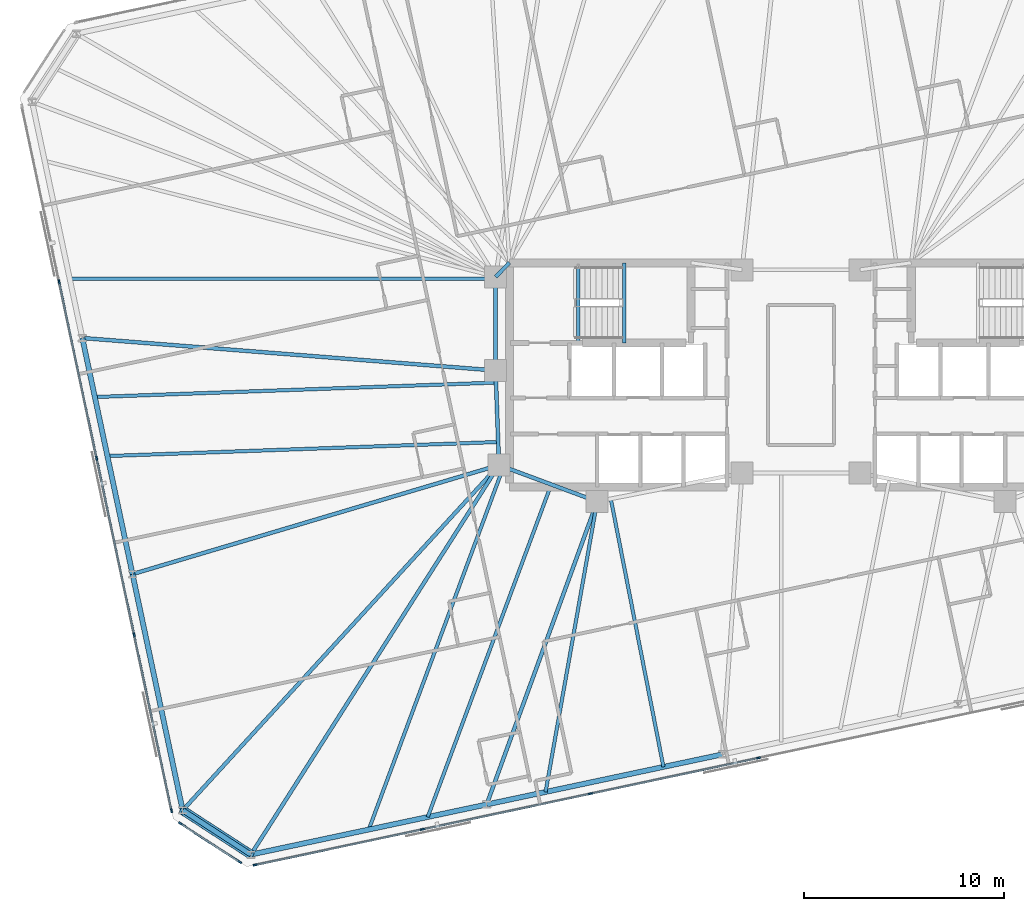
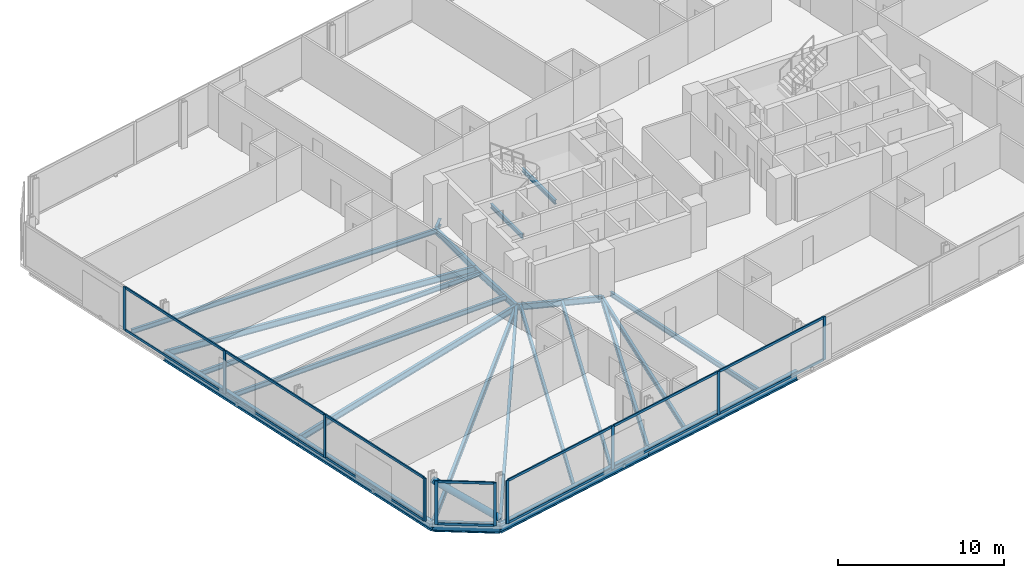
# One storey, part 6 of 19: 25 members, 23 beams, 3 elements without a shape of their own.
"""IFC4 building model written with IfcOpenShell, lengths in metres."""

from ifc_helpers import new_model, si_unit, direction, frame, origin, origin_2d, place, context, subcontext, project, spatial, rectangle, hollow_circle, i_section, extrude, material, material_profile, profile_set, type_object, element, aggregate, save


model = new_model("IFC4")

# Units and contexts
model_context = context("Model", 3, precision=1e-05, world=origin(), true_north=direction((0.0, 1.0)))
body_context = subcontext(model_context, "Body", "Model", "MODEL_VIEW")
ifc_project = project(units=[si_unit("LENGTHUNIT", "METRE"), si_unit("AREAUNIT", "SQUARE_METRE"), si_unit("VOLUMEUNIT", "CUBIC_METRE"), si_unit("PLANEANGLEUNIT", "RADIAN"), si_unit("MASSUNIT", "GRAM", prefix="KILO")], contexts=[model_context])

# Site, building, storey
site_placement = place(None, origin())
site = spatial("IfcSite", under=ifc_project, at=site_placement, CompositionType="ELEMENT")
building_placement = place(site_placement, origin())
building = spatial("IfcBuilding", under=site, at=building_placement, Name="Menara Jurai Vektor", CompositionType="ELEMENT")
storey_placement = place(building_placement, frame((0.0, 0.0, 161.60009765625)))
storey = spatial("IfcBuildingStorey", under=building, at=storey_placement, Name="L41", CompositionType="ELEMENT", Elevation=161.60009765625)

# Curtain wall, members
ifc_material_1 = material(Name="Anodised Pale Aluminium & Low-E Double Glazing", Category="aluminium")
curtain_wall_type = type_object("IfcCurtainWallType", Name="CW-BLK3", PredefinedType="NOTDEFINED", material=ifc_material_1)
curtain_wall_1_placement = place(storey_placement, origin())
curtain_wall_1 = element("IfcCurtainWall", 1, at=curtain_wall_1_placement, inside=storey, type_object=curtain_wall_type, Name="Unitised Curtain Wall L41 F01", PredefinedType="NOTDEFINED")
ifc_material_2 = material(Name="Anodised Pale Aluminium Mullion", Category="aluminium")
ifc_material_profile_1 = material_profile(ifc_material_2, rectangle(XDim=0.0849609375, YDim=0.205078125, at=origin_2d()), Name="ALU MUL 85x205")
ifc_profile_set_1 = profile_set([ifc_material_profile_1], Name="Anodised Pale Aluminium Mullion")
member_type_1 = type_object("IfcMemberType", Name="CW-BLK3-MUL", PredefinedType="MULLION", material=ifc_profile_set_1)
member_1_placement = place(storey_placement, frame((-27.25244140625, -24.462890625, 0.0), z_axis=(0.0, 0.0, 1.0), x_axis=(-0.207911344156, 0.978147674419, 0.0)))
member_1 = element("IfcMember", 2, at=member_1_placement, type_object=member_type_1, Name="CW-03 mullion 1", PredefinedType="MULLION", context=body_context, shape_type="SweptSolid", body=[
    extrude(rectangle(XDim=0.0849609375, YDim=0.205078125, at=origin_2d()), origin(), (0.0, 0.0, 1.0), 3.1748046875),
])
member_2_placement = place(storey_placement, frame((-18.904296875, -22.6884765625, 0.0), z_axis=(0.0, 0.0, 1.0), x_axis=(-0.207911344156, 0.978147674419, 0.0)))
member_2 = element("IfcMember", 3, at=member_2_placement, type_object=member_type_1, Name="CW-03 mullion 2", PredefinedType="MULLION", context=body_context, shape_type="SweptSolid", body=[
    extrude(rectangle(XDim=0.0849609375, YDim=0.205078125, at=origin_2d()), origin(), (0.0, 0.0, 1.0), 3.1748046875),
])
member_3_placement = place(storey_placement, frame((-10.514404296875, -20.905029296875, 0.0), z_axis=(0.0, 0.0, 1.0), x_axis=(-0.207911344156, 0.978147674419, 0.0)))
member_3 = element("IfcMember", 4, at=member_3_placement, type_object=member_type_1, Name="CW-03 mullion 3", PredefinedType="MULLION", context=body_context, shape_type="SweptSolid", body=[
    extrude(rectangle(XDim=0.0849609375, YDim=0.205078125, at=origin_2d()), origin(), (0.0, 0.0, 1.0), 3.1748046875),
])
member_4_placement = place(storey_placement, frame((-2.124755859375, -19.121826171875, 0.0), z_axis=(0.0, 0.0, 1.0), x_axis=(-0.207911344156, 0.978147674419, 0.0)))
member_4 = element("IfcMember", 5, at=member_4_placement, type_object=member_type_1, Name="CW-03 mullion 4", PredefinedType="MULLION", context=body_context, shape_type="SweptSolid", body=[
    extrude(rectangle(XDim=0.0849609375, YDim=0.205078125, at=origin_2d()), origin(), (0.0, 0.0, 1.0), 3.1748046875),
])

curtain_wall_2_placement = place(storey_placement, origin())
curtain_wall_2 = element("IfcCurtainWall", 6, at=curtain_wall_2_placement, inside=storey, type_object=curtain_wall_type, Name="Unitised Curtain Wall L41 F07", PredefinedType="NOTDEFINED")
member_5_placement = place(storey_placement, frame((-37.041259765625, 4.648193359375, 0.0), z_axis=(0.0, 0.0, 1.0), x_axis=(0.978147883949, 0.20791035839, 0.0)))
member_5 = element("IfcMember", 7, at=member_5_placement, type_object=member_type_1, Name="CW-03 mullion 2", PredefinedType="MULLION", context=body_context, shape_type="SweptSolid", body=[
    extrude(rectangle(XDim=0.0849609375, YDim=0.205078125, at=origin_2d()), origin(), (0.0, 0.0, 1.0), 3.1748046875),
])
member_6_placement = place(storey_placement, frame((-35.16796875, -4.1650390625, 0.0), z_axis=(0.0, 0.0, 1.0), x_axis=(0.978147883949, 0.20791035839, 0.0)))
member_6 = element("IfcMember", 8, at=member_6_placement, type_object=member_type_1, Name="CW-03 mullion 3", PredefinedType="MULLION", context=body_context, shape_type="SweptSolid", body=[
    extrude(rectangle(XDim=0.0849609375, YDim=0.205078125, at=origin_2d()), origin(), (0.0, 0.0, 1.0), 3.1748046875),
])
member_7_placement = place(storey_placement, frame((-33.294677734375, -12.978271484375, 0.0), z_axis=(0.0, 0.0, 1.0), x_axis=(0.978147883949, 0.20791035839, 0.0)))
member_7 = element("IfcMember", 9, at=member_7_placement, type_object=member_type_1, Name="CW-03 mullion 4", PredefinedType="MULLION", context=body_context, shape_type="SweptSolid", body=[
    extrude(rectangle(XDim=0.0849609375, YDim=0.205078125, at=origin_2d()), origin(), (0.0, 0.0, 1.0), 3.1748046875),
])
member_8_placement = place(storey_placement, frame((-31.43017578125, -21.749755859375, 0.0), z_axis=(0.0, 0.0, 1.0), x_axis=(0.978147883949, 0.20791035839, 0.0)))
member_8 = element("IfcMember", 10, at=member_8_placement, type_object=member_type_1, Name="CW-03 mullion 5", PredefinedType="MULLION", context=body_context, shape_type="SweptSolid", body=[
    extrude(rectangle(XDim=0.0849609375, YDim=0.205078125, at=origin_2d()), origin(), (0.0, 0.0, 1.0), 3.1748046875),
])

curtain_wall_3_placement = place(storey_placement, origin())
curtain_wall_3 = element("IfcCurtainWall", 11, at=curtain_wall_3_placement, inside=storey, type_object=curtain_wall_type, Name="Unitised Curtain Wall L41 F08", PredefinedType="NOTDEFINED")
member_9_placement = place(storey_placement, frame((-30.988037109375, -22.39306640625, 0.0), z_axis=(0.0, 0.0, 1.0), x_axis=(0.544617794346, 0.838684361415, 0.0)))
member_9 = element("IfcMember", 12, at=member_9_placement, type_object=member_type_1, Name="CW-03 mullion 1", PredefinedType="MULLION", context=body_context, shape_type="SweptSolid", body=[
    extrude(rectangle(XDim=0.0849609375, YDim=0.205078125, at=origin_2d()), origin(), (0.0, 0.0, 1.0), 3.1748046875),
])
member_10_placement = place(storey_placement, frame((-28.02001953125, -24.320556640625, 0.0), z_axis=(0.0, 0.0, 1.0), x_axis=(0.544617794346, 0.838684361415, 0.0)))
member_10 = element("IfcMember", 13, at=member_10_placement, type_object=member_type_1, Name="CW-03 mullion 2", PredefinedType="MULLION", context=body_context, shape_type="SweptSolid", body=[
    extrude(rectangle(XDim=0.0849609375, YDim=0.205078125, at=origin_2d()), origin(), (0.0, 0.0, 1.0), 3.1748046875),
])

# Member
ifc_material_3 = material(Name="Anodised Pale Aluminium Transom", Category="aluminium")
ifc_material_profile_2 = material_profile(ifc_material_3, rectangle(XDim=0.0849609375, YDim=0.175048828125, at=origin_2d()), Name="ALU TRN 85x175")
ifc_profile_set_2 = profile_set([ifc_material_profile_2], Name="Anodised Pale Aluminium Transom")
member_type_2 = type_object("IfcMemberType", Name="CW-BLK3-TRN", PredefinedType="USERDEFINED", material=ifc_profile_set_2)
member_11_placement = place(storey_placement, frame((-27.210693359375, -24.4541015625, 0.04248046875), z_axis=(0.978145704369, 0.207920612313, 0.0), x_axis=(-0.207920612313, 0.978145704369, 0.0)))
member_11 = element("IfcMember", 14, at=member_11_placement, type_object=member_type_2, Name="CW-03 transom 1.1", ObjectType="TRANSOM", PredefinedType="USERDEFINED", context=body_context, shape_type="SweptSolid", body=[
    extrude(rectangle(XDim=0.0849609375, YDim=0.175048828125, at=origin_2d()), origin(), (0.0, 0.0, 1.0), 8.449462890625),
])

member_12_placement = place(storey_placement, frame((-27.210693359375, -24.4541015625, 3.13232421875), z_axis=(0.978145704369, 0.207920612313, 0.0), x_axis=(-0.207920612313, 0.978145704369, 0.0)))
member_12 = element("IfcMember", 15, at=member_12_placement, type_object=member_type_2, Name="CW-03 transom 1.2", ObjectType="TRANSOM", PredefinedType="USERDEFINED", context=body_context, shape_type="SweptSolid", body=[
    extrude(rectangle(XDim=0.0849609375, YDim=0.175048828125, at=origin_2d()), origin(), (0.0, 0.0, 1.0), 8.449462890625),
])

member_13_placement = place(storey_placement, frame((-18.862548828125, -22.6796875, 0.04248046875), z_axis=(0.978146500933, 0.207916864907, 0.0), x_axis=(-0.207916864907, 0.978146500933, 0.0)))
member_13 = element("IfcMember", 16, at=member_13_placement, type_object=member_type_2, Name="CW-03 transom 2.1", ObjectType="TRANSOM", PredefinedType="USERDEFINED", context=body_context, shape_type="SweptSolid", body=[
    extrude(rectangle(XDim=0.0849609375, YDim=0.175048828125, at=origin_2d()), origin(), (0.0, 0.0, 1.0), 8.491943359375),
])

member_14_placement = place(storey_placement, frame((-18.862548828125, -22.6796875, 3.13232421875), z_axis=(0.978146500933, 0.207916864907, 0.0), x_axis=(-0.207916864907, 0.978146500933, 0.0)))
member_14 = element("IfcMember", 17, at=member_14_placement, type_object=member_type_2, Name="CW-03 transom 2.2", ObjectType="TRANSOM", PredefinedType="USERDEFINED", context=body_context, shape_type="SweptSolid", body=[
    extrude(rectangle(XDim=0.0849609375, YDim=0.175048828125, at=origin_2d()), origin(), (0.0, 0.0, 1.0), 8.491943359375),
])

member_15_placement = place(storey_placement, frame((-10.472900390625, -20.896240234375, 0.04248046875), z_axis=(0.978147743708, 0.207911018178, 0.0), x_axis=(-0.207911018178, 0.978147743708, 0.0)))
member_15 = element("IfcMember", 18, at=member_15_placement, type_object=member_type_2, Name="CW-03 transom 3.1", ObjectType="TRANSOM", PredefinedType="USERDEFINED", context=body_context, shape_type="SweptSolid", body=[
    extrude(rectangle(XDim=0.0849609375, YDim=0.175048828125, at=origin_2d()), origin(), (0.0, 0.0, 1.0), 8.4921875),
])

member_16_placement = place(storey_placement, frame((-10.472900390625, -20.896240234375, 3.13232421875), z_axis=(0.978147743708, 0.207911018178, 0.0), x_axis=(-0.207911018178, 0.978147743708, 0.0)))
member_16 = element("IfcMember", 19, at=member_16_placement, type_object=member_type_2, Name="CW-03 transom 3.2", ObjectType="TRANSOM", PredefinedType="USERDEFINED", context=body_context, shape_type="SweptSolid", body=[
    extrude(rectangle(XDim=0.0849609375, YDim=0.175048828125, at=origin_2d()), origin(), (0.0, 0.0, 1.0), 8.4921875),
])

aggregate(curtain_wall_1, [member_1, member_2, member_3, member_4, member_11, member_12, member_13, member_14, member_15, member_16])

member_17_placement = place(storey_placement, frame((-37.032470703125, 4.6064453125, 0.04248046875), z_axis=(0.207922224243, -0.978145361726, 0.0), x_axis=(0.978145361726, 0.207922224243, 0.0)))
member_17 = element("IfcMember", 20, at=member_17_placement, type_object=member_type_2, Name="CW-03 transom 2.1", ObjectType="TRANSOM", PredefinedType="USERDEFINED", context=body_context, shape_type="SweptSolid", body=[
    extrude(rectangle(XDim=0.0849609375, YDim=0.175048828125, at=origin_2d()), origin(), (0.0, 0.0, 1.0), 8.925048828125),
])

member_18_placement = place(storey_placement, frame((-37.032470703125, 4.6064453125, 3.13232421875), z_axis=(0.207922224243, -0.978145361726, 0.0), x_axis=(0.978145361726, 0.207922224243, 0.0)))
member_18 = element("IfcMember", 21, at=member_18_placement, type_object=member_type_2, Name="CW-03 transom 2.2", ObjectType="TRANSOM", PredefinedType="USERDEFINED", context=body_context, shape_type="SweptSolid", body=[
    extrude(rectangle(XDim=0.0849609375, YDim=0.175048828125, at=origin_2d()), origin(), (0.0, 0.0, 1.0), 8.925048828125),
])

member_19_placement = place(storey_placement, frame((-35.1591796875, -4.20654296875, 0.04248046875), z_axis=(0.207922224243, -0.978145361726, 0.0), x_axis=(0.978145361726, 0.207922224243, 0.0)))
member_19 = element("IfcMember", 22, at=member_19_placement, type_object=member_type_2, Name="CW-03 transom 3.1", ObjectType="TRANSOM", PredefinedType="USERDEFINED", context=body_context, shape_type="SweptSolid", body=[
    extrude(rectangle(XDim=0.0849609375, YDim=0.175048828125, at=origin_2d()), origin(), (0.0, 0.0, 1.0), 8.925048828125),
])

member_20_placement = place(storey_placement, frame((-35.1591796875, -4.20654296875, 3.13232421875), z_axis=(0.207922224243, -0.978145361726, 0.0), x_axis=(0.978145361726, 0.207922224243, 0.0)))
member_20 = element("IfcMember", 23, at=member_20_placement, type_object=member_type_2, Name="CW-03 transom 3.2", ObjectType="TRANSOM", PredefinedType="USERDEFINED", context=body_context, shape_type="SweptSolid", body=[
    extrude(rectangle(XDim=0.0849609375, YDim=0.175048828125, at=origin_2d()), origin(), (0.0, 0.0, 1.0), 8.925048828125),
])

member_21_placement = place(storey_placement, frame((-33.285888671875, -13.019775390625, 0.04248046875), z_axis=(0.207925814542, -0.978144598537, 0.0), x_axis=(0.978144598537, 0.207925814542, 0.0)))
member_21 = element("IfcMember", 24, at=member_21_placement, type_object=member_type_2, Name="CW-03 transom 4.1", ObjectType="TRANSOM", PredefinedType="USERDEFINED", context=body_context, shape_type="SweptSolid", body=[
    extrude(rectangle(XDim=0.0849609375, YDim=0.175048828125, at=origin_2d()), origin(), (0.0, 0.0, 1.0), 8.882568359375),
])

member_22_placement = place(storey_placement, frame((-33.285888671875, -13.019775390625, 3.13232421875), z_axis=(0.207925814542, -0.978144598537, 0.0), x_axis=(0.978144598537, 0.207925814542, 0.0)))
member_22 = element("IfcMember", 25, at=member_22_placement, type_object=member_type_2, Name="CW-03 transom 4.2", ObjectType="TRANSOM", PredefinedType="USERDEFINED", context=body_context, shape_type="SweptSolid", body=[
    extrude(rectangle(XDim=0.0849609375, YDim=0.175048828125, at=origin_2d()), origin(), (0.0, 0.0, 1.0), 8.882568359375),
])

aggregate(curtain_wall_2, [member_5, member_6, member_7, member_8, member_17, member_18, member_19, member_20, member_21, member_22])

member_23_placement = place(storey_placement, frame((-30.952392578125, -22.416259765625, 0.04248046875), z_axis=(0.83867770631, -0.54462804274, 0.0), x_axis=(0.54462804274, 0.83867770631, 0.0)))
member_23 = element("IfcMember", 26, at=member_23_placement, type_object=member_type_2, Name="CW-03 transom 1.1", ObjectType="TRANSOM", PredefinedType="USERDEFINED", context=body_context, shape_type="SweptSolid", body=[
    extrude(rectangle(XDim=0.0849609375, YDim=0.175048828125, at=origin_2d()), origin(), (0.0, 0.0, 1.0), 3.453857421875),
])

member_24_placement = place(storey_placement, frame((-30.952392578125, -22.416259765625, 3.13232421875), z_axis=(0.83867770631, -0.54462804274, 0.0), x_axis=(0.54462804274, 0.83867770631, 0.0)))
member_24 = element("IfcMember", 27, at=member_24_placement, type_object=member_type_2, Name="CW-03 transom 1.2", ObjectType="TRANSOM", PredefinedType="USERDEFINED", context=body_context, shape_type="SweptSolid", body=[
    extrude(rectangle(XDim=0.0849609375, YDim=0.175048828125, at=origin_2d()), origin(), (0.0, 0.0, 1.0), 3.453857421875),
])

aggregate(curtain_wall_3, [member_9, member_10, member_23, member_24])

# Beams
ifc_material_4 = material(Name="Steel S355", Category="steel")
ifc_material_profile_3 = material_profile(ifc_material_4, i_section(OverallWidth=0.19091796875, OverallDepth=0.4599609375, WebThickness=0.010009765625, FlangeThickness=0.01611328125, FilletRadius=0.010009765625, at=origin_2d()), Name="UKB 457x191x82")
ifc_profile_set_3 = profile_set([ifc_material_profile_3], Name="Steel S355")
beam_type_1 = type_object("IfcBeamType", Name="STR-BM-457", PredefinedType="BEAM", material=ifc_profile_set_3)
beam_1_placement = place(storey_placement, frame((-15.25, 4.89990234375, -0.455078125), z_axis=(0.701871936926, 0.712303154672, 0.0), x_axis=(-0.712303154672, 0.701871936926, 0.0)))
element("IfcBeam", 28, at=beam_1_placement, inside=storey, type_object=beam_type_1, Name="Core Ring Header Girder L41-CHW-N1", PredefinedType="BEAM", context=body_context, shape_type="SweptSolid", body=[
    extrude(i_section(OverallWidth=0.19091796875, OverallDepth=0.4599609375, WebThickness=0.010009765625, FlangeThickness=0.01611328125, FilletRadius=0.010009765625, at=origin_2d()), origin(), (0.0, 0.0, 1.0), 0.98291015625),
])
beam_2_placement = place(storey_placement, frame((-15.25, 0.219970703125, -0.455078125), z_axis=(0.0, 1.0, 0.0), x_axis=(-1.0, 0.0, 0.0)))
element("IfcBeam", 29, at=beam_2_placement, inside=storey, type_object=beam_type_1, Name="Core Ring Header Girder L41-CHW-W1", PredefinedType="BEAM", context=body_context, shape_type="SweptSolid", body=[
    extrude(i_section(OverallWidth=0.19091796875, OverallDepth=0.4599609375, WebThickness=0.010009765625, FlangeThickness=0.01611328125, FilletRadius=0.010009765625, at=origin_2d()), origin(), (0.0, 0.0, 1.0), 4.679931640625),
])
beam_3_placement = place(storey_placement, frame((-15.080078125, -4.5, -0.455078125), z_axis=(-0.035977314146, 0.999352606874, 0.0), x_axis=(-0.999352606874, -0.035977314146, 0.0)))
element("IfcBeam", 30, at=beam_3_placement, inside=storey, type_object=beam_type_1, Name="Core Ring Header Girder L41-CHW-W2", PredefinedType="BEAM", context=body_context, shape_type="SweptSolid", body=[
    extrude(i_section(OverallWidth=0.19091796875, OverallDepth=0.4599609375, WebThickness=0.010009765625, FlangeThickness=0.01611328125, FilletRadius=0.010009765625, at=origin_2d()), origin(), (0.0, 0.0, 1.0), 4.72314453125),
])
beam_4_placement = place(storey_placement, frame((-15.080078125, -4.5, -0.455078125), z_axis=(0.937424400887, -0.348188874925, 0.0), x_axis=(0.348188874925, 0.937424400887, 0.0)))
element("IfcBeam", 31, at=beam_4_placement, inside=storey, type_object=beam_type_1, Name="Core Ring Header Girder L41-CHW-S1", PredefinedType="BEAM", context=body_context, shape_type="SweptSolid", body=[
    extrude(i_section(OverallWidth=0.19091796875, OverallDepth=0.4599609375, WebThickness=0.010009765625, FlangeThickness=0.01611328125, FilletRadius=0.010009765625, at=origin_2d()), origin(), (0.0, 0.0, 1.0), 5.227294921875),
])
beam_5_placement = place(storey_placement, frame((-27.46484375, -23.94580078125, -0.455078125), z_axis=(0.537189280991, 0.843461721946, 0.0), x_axis=(-0.843461721946, 0.537189280991, 0.0)))
element("IfcBeam", 32, at=beam_5_placement, inside=storey, type_object=beam_type_1, Name="Radial Floor Girder L41-S1", PredefinedType="BEAM", context=body_context, shape_type="SweptSolid", body=[
    extrude(i_section(OverallWidth=0.19091796875, OverallDepth=0.4599609375, WebThickness=0.010009765625, FlangeThickness=0.01611328125, FilletRadius=0.010009765625, at=origin_2d()), origin(), (0.0, 0.0, 1.0), 23.0546875),
])
beam_6_placement = place(storey_placement, frame((-15.696533203125, -21.4443359375, -0.455078125), z_axis=(0.342668294367, 0.939456459893, 0.0), x_axis=(-0.939456459893, 0.342668294367, 0.0)))
element("IfcBeam", 33, at=beam_6_placement, inside=storey, type_object=beam_type_1, Name="Radial Floor Girder L41-S2", PredefinedType="BEAM", context=body_context, shape_type="SweptSolid", body=[
    extrude(i_section(OverallWidth=0.19091796875, OverallDepth=0.4599609375, WebThickness=0.010009765625, FlangeThickness=0.01611328125, FilletRadius=0.010009765625, at=origin_2d()), origin(), (0.0, 0.0, 1.0), 16.098876953125),
])
beam_7_placement = place(storey_placement, frame((-35.8828125, 1.843505859375, -0.455078125), z_axis=(0.996918476483, -0.078444574364, 0.0), x_axis=(0.078444574364, 0.996918476483, 0.0)))
element("IfcBeam", 34, at=beam_7_placement, inside=storey, type_object=beam_type_1, Name="Radial Floor Girder L41-W2", PredefinedType="BEAM", context=body_context, shape_type="SweptSolid", body=[
    extrude(i_section(OverallWidth=0.19091796875, OverallDepth=0.4599609375, WebThickness=0.010009765625, FlangeThickness=0.01611328125, FilletRadius=0.010009765625, at=origin_2d()), origin(), (0.0, 0.0, 1.0), 20.696533203125),
])
beam_8_placement = place(storey_placement, frame((-33.377197265625, -9.94482421875, -0.455078125), z_axis=(0.958462775407, 0.285217650505, 0.0), x_axis=(-0.285217650505, 0.958462775407, 0.0)))
element("IfcBeam", 35, at=beam_8_placement, inside=storey, type_object=beam_type_1, Name="Radial Floor Girder L41-W3", PredefinedType="BEAM", context=body_context, shape_type="SweptSolid", body=[
    extrude(i_section(OverallWidth=0.19091796875, OverallDepth=0.4599609375, WebThickness=0.010009765625, FlangeThickness=0.01611328125, FilletRadius=0.010009765625, at=origin_2d()), origin(), (0.0, 0.0, 1.0), 19.090087890625),
])
beam_9_placement = place(storey_placement, frame((-30.871337890625, -21.7333984375, -0.455078125), z_axis=(0.675584615662, 0.737282460852, 0.0), x_axis=(-0.737282460852, 0.675584615662, 0.0)))
element("IfcBeam", 36, at=beam_9_placement, inside=storey, type_object=beam_type_1, Name="Radial Floor Girder L41-W4", PredefinedType="BEAM", context=body_context, shape_type="SweptSolid", body=[
    extrude(i_section(OverallWidth=0.19091796875, OverallDepth=0.4599609375, WebThickness=0.010009765625, FlangeThickness=0.01611328125, FilletRadius=0.010009765625, at=origin_2d()), origin(), (0.0, 0.0, 1.0), 23.374267578125),
])

# Member
ifc_material_5 = material(Name="Steel S460", Category="steel")
ifc_material_profile_4 = material_profile(ifc_material_5, hollow_circle(Radius=0.228515625, WallThickness=0.01611328125, at=origin_2d()), Name="CHS 457x16")
ifc_profile_set_4 = profile_set([ifc_material_profile_4], Name="Steel S460")
member_type_3 = type_object("IfcMemberType", Name="STR-BR-457", PredefinedType="BRACE", material=ifc_profile_set_4)
member_25_placement = place(storey_placement, frame((-27.46484375, -23.94580078125, 0.14990234375), z_axis=(-0.700402825662, 0.454887866849, 0.5500117366), x_axis=(-0.544673525608, -0.838648168484, 0.0)))
element("IfcMember", 37, at=member_25_placement, inside=storey, type_object=member_type_3, Name="Exoskeleton Corner Brace L41-4", PredefinedType="BRACE", context=body_context, shape_type="SweptSolid", body=[
    extrude(hollow_circle(Radius=0.228515625, WallThickness=0.01611328125, at=origin_2d()), origin(), (0.0, 0.0, 1.0), 4.863525390625),
])

# Beams
ifc_material_profile_5 = material_profile(ifc_material_4, i_section(OverallWidth=0.172119140625, OverallDepth=0.35498046875, WebThickness=0.007080078125, FlangeThickness=0.011962890625, FilletRadius=0.010009765625, at=origin_2d()), Name="UKB 356x171x51")
ifc_profile_set_5 = profile_set([ifc_material_profile_5], Name="Steel S355")
beam_type_2 = type_object("IfcBeamType", Name="STR-JS-356", PredefinedType="JOIST", material=ifc_profile_set_5)
beam_10_placement = place(storey_placement, frame((-21.580810546875, -22.695068359375, -0.402587890625), z_axis=(0.348190019635, 0.937423975705, 0.0), x_axis=(-0.937423975705, 0.348190019635, 0.0)))
element("IfcBeam", 38, at=beam_10_placement, inside=storey, type_object=beam_type_2, Name="Radial Secondary Floor Joist L41-JS01", PredefinedType="JOIST", context=body_context, shape_type="SweptSolid", body=[
    extrude(i_section(OverallWidth=0.172119140625, OverallDepth=0.35498046875, WebThickness=0.007080078125, FlangeThickness=0.011962890625, FilletRadius=0.010009765625, at=origin_2d()), origin(), (0.0, 0.0, 1.0), 19.320068359375),
])
beam_11_placement = place(storey_placement, frame((-18.638671875, -22.069580078125, -0.402587890625), z_axis=(0.348193798412, 0.937422572135, 0.0), x_axis=(-0.937422572135, 0.348193798412, 0.0)))
element("IfcBeam", 39, at=beam_11_placement, inside=storey, type_object=beam_type_2, Name="Radial Secondary Floor Joist L41-JS02", PredefinedType="JOIST", context=body_context, shape_type="SweptSolid", body=[
    extrude(i_section(OverallWidth=0.172119140625, OverallDepth=0.35498046875, WebThickness=0.007080078125, FlangeThickness=0.011962890625, FilletRadius=0.010009765625, at=origin_2d()), origin(), (0.0, 0.0, 1.0), 17.709228515625),
])
beam_12_placement = place(storey_placement, frame((-12.75439453125, -20.819091796875, -0.402587890625), z_axis=(0.174826548521, 0.984599247375, 0.0), x_axis=(-0.984599247375, 0.174826548521, 0.0)))
element("IfcBeam", 40, at=beam_12_placement, inside=storey, type_object=beam_type_2, Name="Radial Secondary Floor Joist L41-JS03", PredefinedType="JOIST", context=body_context, shape_type="SweptSolid", body=[
    extrude(i_section(OverallWidth=0.172119140625, OverallDepth=0.35498046875, WebThickness=0.007080078125, FlangeThickness=0.011962890625, FilletRadius=0.010009765625, at=origin_2d()), origin(), (0.0, 0.0, 1.0), 14.725830078125),
])
beam_13_placement = place(storey_placement, frame((-6.870361328125, -19.568359375, -0.402587890625), z_axis=(-0.19273083746, 0.981251662058, 0.0), x_axis=(-0.981251662058, -0.19273083746, 0.0)))
element("IfcBeam", 41, at=beam_13_placement, inside=storey, type_object=beam_type_2, Name="Radial Secondary Floor Joist L41-JS04", PredefinedType="JOIST", context=body_context, shape_type="SweptSolid", body=[
    extrude(i_section(OverallWidth=0.172119140625, OverallDepth=0.35498046875, WebThickness=0.007080078125, FlangeThickness=0.011962890625, FilletRadius=0.010009765625, at=origin_2d()), origin(), (0.0, 0.0, 1.0), 13.6376953125),
])
beam_14_placement = place(storey_placement, frame((-36.50927734375, 4.790771484375, -0.402587890625), z_axis=(1.0, 0.0, 0.0), x_axis=(0.0, 1.0, 0.0)))
element("IfcBeam", 42, at=beam_14_placement, inside=storey, type_object=beam_type_2, Name="Radial Secondary Floor Joist L41-JS30", PredefinedType="JOIST", context=body_context, shape_type="SweptSolid", body=[
    extrude(i_section(OverallWidth=0.172119140625, OverallDepth=0.35498046875, WebThickness=0.007080078125, FlangeThickness=0.011962890625, FilletRadius=0.010009765625, at=origin_2d()), origin(), (0.0, 0.0, 1.0), 21.25927734375),
])
beam_15_placement = place(storey_placement, frame((-35.25634765625, -1.103515625, -0.402587890625), z_axis=(0.999351866858, 0.035997863919, 0.0), x_axis=(-0.035997863919, 0.999351866858, 0.0)))
element("IfcBeam", 43, at=beam_15_placement, inside=storey, type_object=beam_type_2, Name="Radial Secondary Floor Joist L41-JS31", PredefinedType="JOIST", context=body_context, shape_type="SweptSolid", body=[
    extrude(i_section(OverallWidth=0.172119140625, OverallDepth=0.35498046875, WebThickness=0.007080078125, FlangeThickness=0.011962890625, FilletRadius=0.010009765625, at=origin_2d()), origin(), (0.0, 0.0, 1.0), 20.041015625),
])
beam_16_placement = place(storey_placement, frame((-34.6298828125, -4.05078125, -0.402587890625), z_axis=(0.999352006705, 0.035993981369, 0.0), x_axis=(-0.035993981369, 0.999352006705, 0.0)))
element("IfcBeam", 44, at=beam_16_placement, inside=storey, type_object=beam_type_2, Name="Radial Secondary Floor Joist L41-JS32", PredefinedType="JOIST", context=body_context, shape_type="SweptSolid", body=[
    extrude(i_section(OverallWidth=0.172119140625, OverallDepth=0.35498046875, WebThickness=0.007080078125, FlangeThickness=0.011962890625, FilletRadius=0.010009765625, at=origin_2d()), origin(), (0.0, 0.0, 1.0), 19.52099609375),
])
ifc_material_profile_6 = material_profile(ifc_material_4, i_section(OverallWidth=0.1650390625, OverallDepth=0.302978515625, WebThickness=0.006103515625, FlangeThickness=0.010009765625, FilletRadius=0.009033203125, at=origin_2d()), Name="UKB 305x165x40")
ifc_profile_set_6 = profile_set([ifc_material_profile_6], Name="Steel S355")
beam_type_3 = type_object("IfcBeamType", Name="STR-LN-305", PredefinedType="LINTEL", material=ifc_profile_set_6)
beam_17_placement = place(storey_placement, frame((-11.1201171875, 1.60009765625, -0.376708984375), z_axis=(0.0, 1.0, 0.0), x_axis=(-1.0, 0.0, 0.0)))
element("IfcBeam", 45, at=beam_17_placement, inside=storey, type_object=beam_type_3, Name="Stair Well Floor Trimmer ST1 L41", PredefinedType="LINTEL", context=body_context, shape_type="SweptSolid", body=[
    extrude(i_section(OverallWidth=0.1650390625, OverallDepth=0.302978515625, WebThickness=0.006103515625, FlangeThickness=0.010009765625, FilletRadius=0.009033203125, at=origin_2d()), origin(), (0.0, 0.0, 1.0), 3.81982421875),
])
beam_18_placement = place(storey_placement, frame((-8.830078125, 1.60009765625, 1.348388671875), z_axis=(0.0, 1.0, 0.0), x_axis=(-1.0, 0.0, 0.0)))
element("IfcBeam", 46, at=beam_18_placement, inside=storey, type_object=beam_type_3, Name="Stair Half-Landing Nosing Trimmer ST1-1 L41", PredefinedType="LINTEL", context=body_context, shape_type="SweptSolid", body=[
    extrude(i_section(OverallWidth=0.1650390625, OverallDepth=0.302978515625, WebThickness=0.006103515625, FlangeThickness=0.010009765625, FilletRadius=0.009033203125, at=origin_2d()), origin(), (0.0, 0.0, 1.0), 4.0),
])
ifc_material_profile_7 = material_profile(ifc_material_5, i_section(OverallWidth=0.256103515625, OverallDepth=0.693115234375, WebThickness=0.013916015625, FlangeThickness=0.02392578125, FilletRadius=0.014892578125, at=origin_2d()), Name="UKB 686x254x170")
ifc_profile_set_7 = profile_set([ifc_material_profile_7], Name="Steel S460")
beam_type_4 = type_object("IfcBeamType", Name="STR-SP-686", PredefinedType="SPANDREL", material=ifc_profile_set_7)
beam_19_placement = place(storey_placement, frame((-27.46484375, -23.94580078125, -0.571533203125), z_axis=(0.978147039247, 0.207914332389, 0.0), x_axis=(-0.207914332389, 0.978147039247, 0.0)))
element("IfcBeam", 47, at=beam_19_placement, inside=storey, type_object=beam_type_4, Name="Exoskeleton Spandrel Beam L41-01", PredefinedType="SPANDREL", context=body_context, shape_type="SweptSolid", body=[
    extrude(i_section(OverallWidth=0.256103515625, OverallDepth=0.693115234375, WebThickness=0.013916015625, FlangeThickness=0.02392578125, FilletRadius=0.014892578125, at=origin_2d()), origin(), (0.0, 0.0, 1.0), 12.03125),
])
beam_20_placement = place(storey_placement, frame((-15.696533203125, -21.4443359375, -0.571533203125), z_axis=(0.97814616202, 0.207918459318, 0.0), x_axis=(-0.207918459318, 0.97814616202, 0.0)))
element("IfcBeam", 48, at=beam_20_placement, inside=storey, type_object=beam_type_4, Name="Exoskeleton Spandrel Beam L41-02", PredefinedType="SPANDREL", context=body_context, shape_type="SweptSolid", body=[
    extrude(i_section(OverallWidth=0.256103515625, OverallDepth=0.693115234375, WebThickness=0.013916015625, FlangeThickness=0.02392578125, FilletRadius=0.014892578125, at=origin_2d()), origin(), (0.0, 0.0, 1.0), 12.031005859375),
])
beam_21_placement = place(storey_placement, frame((-35.8828125, 1.843505859375, -0.571533203125), z_axis=(0.207906000604, -0.978148810209, 0.0), x_axis=(0.978148810209, 0.207906000604, 0.0)))
element("IfcBeam", 49, at=beam_21_placement, inside=storey, type_object=beam_type_4, Name="Exoskeleton Spandrel Beam L41-18", PredefinedType="SPANDREL", context=body_context, shape_type="SweptSolid", body=[
    extrude(i_section(OverallWidth=0.256103515625, OverallDepth=0.693115234375, WebThickness=0.013916015625, FlangeThickness=0.02392578125, FilletRadius=0.014892578125, at=origin_2d()), origin(), (0.0, 0.0, 1.0), 12.0517578125),
])
beam_22_placement = place(storey_placement, frame((-33.377197265625, -9.94482421875, -0.571533203125), z_axis=(0.207921262698, -0.978145566119, 0.0), x_axis=(0.978145566119, 0.207921262698, 0.0)))
element("IfcBeam", 50, at=beam_22_placement, inside=storey, type_object=beam_type_4, Name="Exoskeleton Spandrel Beam L41-19", PredefinedType="SPANDREL", context=body_context, shape_type="SweptSolid", body=[
    extrude(i_section(OverallWidth=0.256103515625, OverallDepth=0.693115234375, WebThickness=0.013916015625, FlangeThickness=0.02392578125, FilletRadius=0.014892578125, at=origin_2d()), origin(), (0.0, 0.0, 1.0), 12.052001953125),
])
beam_23_placement = place(storey_placement, frame((-30.871337890625, -21.7333984375, -0.571533203125), z_axis=(0.838648168484, -0.544673525608, 0.0), x_axis=(0.544673525608, 0.838648168484, 0.0)))
element("IfcBeam", 51, at=beam_23_placement, inside=storey, type_object=beam_type_4, Name="Exoskeleton Spandrel Beam L41-20", PredefinedType="SPANDREL", context=body_context, shape_type="SweptSolid", body=[
    extrude(i_section(OverallWidth=0.256103515625, OverallDepth=0.693115234375, WebThickness=0.013916015625, FlangeThickness=0.02392578125, FilletRadius=0.014892578125, at=origin_2d()), origin(), (0.0, 0.0, 1.0), 4.061767578125),
])

save(model, "model.ifc")
